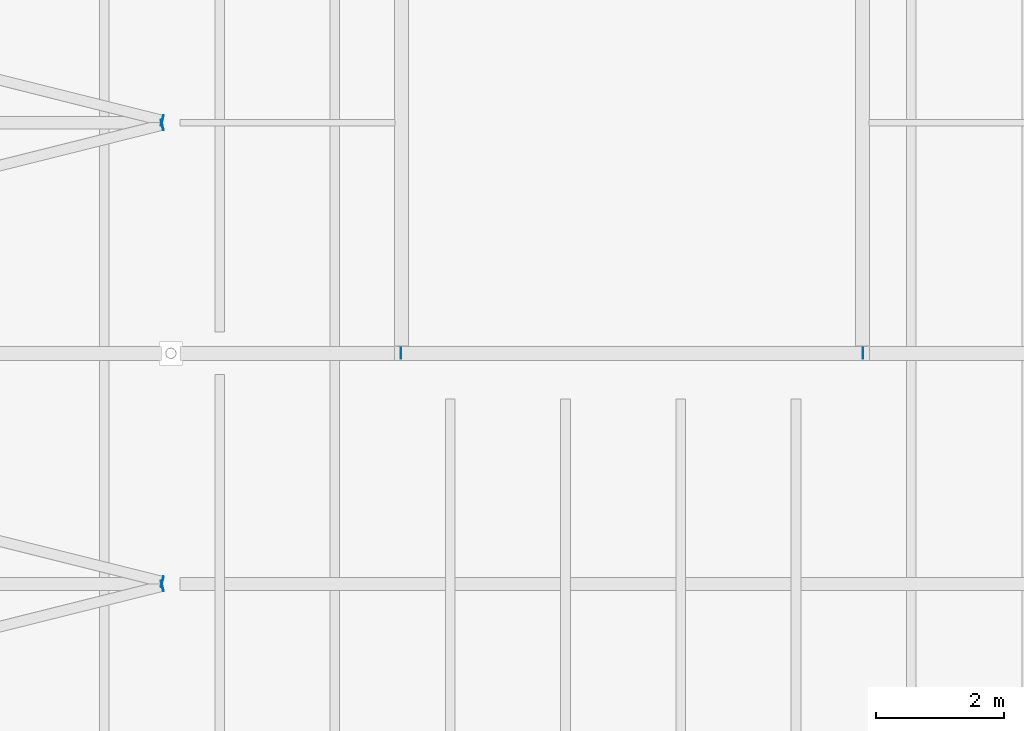
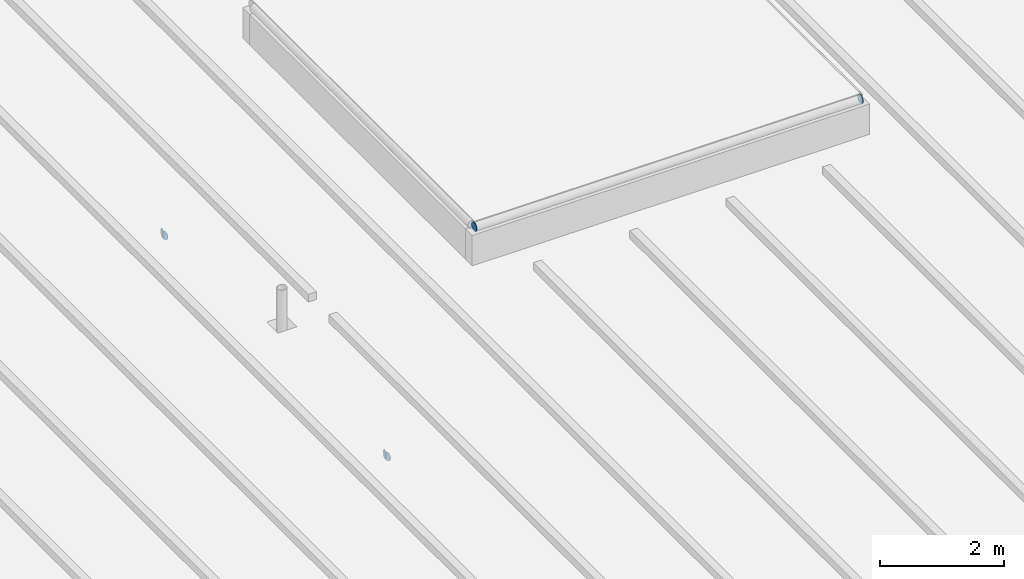
# One storey, part 103 of 120: 6 discrete accessories.
"""IFC4 building model written with IfcOpenShell, lengths in metres."""

import ifcopenshell
import ifcopenshell.guid

model = None  # the IFC model being written
_history = None  # IfcOwnerHistory: only IFC2X3 demands one
_inside = {}  # id of a spatial element -> (the spatial element, [elements in it])
_under = {}  # id of a project, library or spatial element -> (it, [spatial elements below it])
_declared = {}  # id of a project -> (the project, [libraries it declares])
_typed = {}  # id of a type object -> (the type object, [elements of that type])
_made_of = {}  # id of a material, layer set ... -> (it, [elements and type objects made of it])


def new_model(schema):
    """Start an empty IFC model of exactly this schema.

    Asked for "IFC4X3", IfcOpenShell would pick the latest addendum, in which some entities
    have other attributes; the version numbers below select the first issue.
    IFC2X3 requires an IfcOwnerHistory on every rooted entity: one is made here for all.
    """
    global model, _history
    if schema == "IFC4X3":
        model = ifcopenshell.file(schema_version=(4, 3, 0, 0))
    else:
        model = ifcopenshell.file(schema=schema)
    _inside.clear()
    _under.clear()
    _declared.clear()
    _typed.clear()
    _made_of.clear()
    _history = None
    if model.schema == "IFC2X3":
        org = make("IfcOrganization", Name="unknown")
        user = make(
            "IfcPersonAndOrganization",
            ThePerson=make("IfcPerson", FamilyName="unknown"),
            TheOrganization=org,
        )
        app = make(
            "IfcApplication",
            ApplicationDeveloper=org,
            Version="unknown",
            ApplicationFullName="unknown",
            ApplicationIdentifier="unknown",
        )
        _history = make(
            "IfcOwnerHistory",
            OwningUser=user,
            OwningApplication=app,
            ChangeAction="ADDED",
            CreationDate=0,
        )
    return model


def make(cls, **values):
    """One entity of the class cls with the attributes given. An attribute that is None is left unset."""
    return model.create_entity(
        cls, **{name: value for name, value in values.items() if value is not None}
    )


def rooted(cls, **values):
    """An entity with a GlobalId (a new one), such as an element, a storey or a relation."""
    return make(cls, GlobalId=ifcopenshell.guid.new(), OwnerHistory=_history, **values)


def si_unit(unit_type, name, prefix=None):
    """IfcSIUnit, for example si_unit("LENGTHUNIT", "METRE", prefix="MILLI")."""
    return make("IfcSIUnit", UnitType=unit_type, Prefix=prefix, Name=name)


def assignment(units):
    """IfcUnitAssignment: the units of a project."""
    return None if units is None else make("IfcUnitAssignment", Units=units)


def point(xyz):
    """IfcCartesianPoint."""
    return None if xyz is None else make("IfcCartesianPoint", Coordinates=xyz)


def direction(xyz):
    """IfcDirection."""
    return None if xyz is None else make("IfcDirection", DirectionRatios=xyz)


def frame(location, z_axis=None, x_axis=None):
    """IfcAxis2Placement3D, a coordinate frame: its origin and axes. An axis left out is left unset."""
    return make(
        "IfcAxis2Placement3D",
        Location=point(location),
        Axis=direction(z_axis),
        RefDirection=direction(x_axis),
    )


def frame_2d(location, x_axis=None):
    """IfcAxis2Placement2D, a coordinate frame in the plane: its origin and x axis."""
    return make(
        "IfcAxis2Placement2D", Location=point(location), RefDirection=direction(x_axis)
    )


def origin():
    """The frame at (0, 0, 0) with its axes left unset."""
    return frame((0.0, 0.0, 0.0))


def origin_2d():
    """The frame at (0, 0) in the plane with its x axis left unset."""
    return frame_2d((0.0, 0.0))


def place(relative_to, where):
    """IfcLocalPlacement: puts the frame where relative to a parent placement (None: the world)."""
    return make(
        "IfcLocalPlacement", PlacementRelTo=relative_to, RelativePlacement=where
    )


def context(
    kind, dimensions, precision=None, world=None, true_north=None, identifier=None
):
    """IfcGeometricRepresentationContext, for example the 3D "Model" context."""
    return make(
        "IfcGeometricRepresentationContext",
        ContextIdentifier=identifier,
        ContextType=kind,
        CoordinateSpaceDimension=dimensions,
        Precision=precision,
        WorldCoordinateSystem=world,
        TrueNorth=true_north,
    )


def subcontext(parent, identifier, kind, view, scale=None):
    """IfcGeometricRepresentationSubContext, for example "Body" below "Model"."""
    return make(
        "IfcGeometricRepresentationSubContext",
        ContextIdentifier=identifier,
        ContextType=kind,
        ParentContext=parent,
        TargetScale=scale,
        TargetView=view,
    )


def project(units=None, contexts=None):
    """IfcProject with its units and contexts."""
    return rooted(
        "IfcProject",
        Name="project",
        RepresentationContexts=contexts,
        UnitsInContext=assignment(units),
    )


def spatial(cls, under=None, at=None, **own):
    """A site, building, storey or space (cls), placed at a placement, below another one or the project."""
    s = rooted(cls, ObjectPlacement=at, **own)
    if under is not None:
        _under.setdefault(under.id(), (under, []))[1].append(s)
    return s


def profile(cls, at=None, kind="AREA", **sizes):
    """A parametric profile (cls). Its sizes go by their IFC names, for example OverallWidth=200.0."""
    return make(cls, ProfileType=kind, Position=at, **sizes)


def circle(**sizes):
    """IfcCircleProfileDef."""
    return profile("IfcCircleProfileDef", **sizes)


def extrude(swept, where, along, depth):
    """IfcExtrudedAreaSolid: the profile swept, set in the frame where, extruded along a direction by depth."""
    return make(
        "IfcExtrudedAreaSolid",
        SweptArea=swept,
        Position=where,
        ExtrudedDirection=direction(along),
        Depth=depth,
    )


def shape(context_of_items, identifier, shape_type, items):
    """IfcShapeRepresentation: the items that make up one representation, for example the "Body"."""
    return make(
        "IfcShapeRepresentation",
        ContextOfItems=context_of_items,
        RepresentationIdentifier=identifier,
        RepresentationType=shape_type,
        Items=items,
    )


def material(Name=None, Category=None):
    """IfcMaterial."""
    return make("IfcMaterial", Name=Name, Category=Category)


def layer(
    of_material, thickness, ventilated=None, Name=None, Category=None, Priority=None
):
    """IfcMaterialLayer: one layer of a wall or slab, of a material (None: an air gap)."""
    return make(
        "IfcMaterialLayer",
        Material=of_material,
        LayerThickness=thickness,
        IsVentilated=ventilated,
        Name=Name,
        Category=Category,
        Priority=Priority,
    )


def layer_set(layers, Name=None):
    """IfcMaterialLayerSet."""
    return make("IfcMaterialLayerSet", MaterialLayers=layers, LayerSetName=Name)


def made_of(thing, what):
    """Note that an element or type object is made of a material, layer set ...; save() writes the relation."""
    if what is not None:
        _made_of.setdefault(what.id(), (what, []))[1].append(thing)
    return thing


def type_object(cls, material=None, **own):
    """A type object (cls), such as IfcWallType, which elements share."""
    return made_of(rooted(cls, **own), material)


def element(
    cls,
    number,
    at=None,
    inside=None,
    cuts=None,
    type_object=None,
    material=None,
    context=None,
    identifier="Body",
    shape_type=None,
    held_by="IfcProductDefinitionShape",
    body=None,
    shapes=None,
    **own,
):
    """One element of the class cls, such as IfcWall. Its Tag is "e" and its number.

    at: its placement. inside: the storey or other place that contains it. cuts: it is an
    opening in that element (IfcRelVoidsElement). A single representation is given by context,
    identifier, shape_type and body (its items); several are given by shapes. held_by: the class
    of the entity that holds the representations. save() writes the other relations.
    """
    e = rooted(cls, Tag="e%d" % number, ObjectPlacement=at, **own)
    if body is not None:
        shapes = [shape(context, identifier, shape_type, body)]
    if shapes is not None:
        e.Representation = make(held_by, Representations=shapes)
    if inside is not None:
        _inside.setdefault(inside.id(), (inside, []))[1].append(e)
    if cuts is not None:
        rooted(
            "IfcRelVoidsElement", RelatingBuildingElement=cuts, RelatedOpeningElement=e
        )
    if type_object is not None:
        _typed.setdefault(type_object.id(), (type_object, []))[1].append(e)
    return made_of(e, material)


def aggregate(whole, parts):
    """IfcRelAggregates: a whole, such as a stair, and the parts it consists of."""
    return rooted("IfcRelAggregates", RelatingObject=whole, RelatedObjects=parts)


def save(model, path):
    """Write the relations noted so far, then the file.

    IfcRelAggregates (storeys below a building ...), IfcRelContainedInSpatialStructure (elements
    in a storey), IfcRelDefinesByType, IfcRelAssociatesMaterial and IfcRelDeclares: one each for
    every whole, place, type object, material and project.
    """
    for whole, parts in _under.values():
        aggregate(whole, parts)
    for where, things in _inside.values():
        rooted(
            "IfcRelContainedInSpatialStructure",
            RelatedElements=things,
            RelatingStructure=where,
        )
    for kind, things in _typed.values():
        rooted("IfcRelDefinesByType", RelatedObjects=things, RelatingType=kind)
    for what, things in _made_of.values():
        rooted("IfcRelAssociatesMaterial", RelatedObjects=things, RelatingMaterial=what)
    for by, libraries in _declared.values():
        rooted("IfcRelDeclares", RelatingContext=by, RelatedDefinitions=libraries)
    model.write(path)


model = new_model("IFC4")

# Units and contexts
model_context = context("Model", 3, precision=1e-05, world=origin(), true_north=direction((0.0, 1.0)))
body_context = subcontext(model_context, "Body", "Model", "MODEL_VIEW")
ifc_project = project(units=[si_unit("LENGTHUNIT", "METRE"), si_unit("AREAUNIT", "SQUARE_METRE"), si_unit("VOLUMEUNIT", "CUBIC_METRE"), si_unit("PLANEANGLEUNIT", "RADIAN"), si_unit("MASSUNIT", "GRAM", prefix="KILO")], contexts=[model_context])

# Site, building, storey
site_placement = place(None, origin())
site = spatial("IfcSite", under=ifc_project, at=site_placement, CompositionType="ELEMENT")
building_placement = place(site_placement, origin())
building = spatial("IfcBuilding", under=site, at=building_placement, Name="Kupolbacken Congress Centre", CompositionType="ELEMENT")
storey_placement = place(building_placement, frame((0.0, 0.0, 21.60009765625)))
storey = spatial("IfcBuildingStorey", under=building, at=storey_placement, Name="L06", CompositionType="ELEMENT", Elevation=21.60009765625)

# Discrete accessories
ifc_material = material(Name="Steel S355", Category="steel")
ifc_layer = layer(ifc_material, 0.011962890625)
ifc_layer_set = layer_set([ifc_layer], Name="Steel S355")
discrete_accessory_type = type_object("IfcDiscreteAccessoryType", Name="EC2 tube end cap plate 168 dia x 12", PredefinedType="BRACKET", material=ifc_layer_set)
for number, where, z_axis, x_axis, name in (
    (1, (165.459228515625, 93.564697265625, -0.084228515625), (0.970142500145, 0.242535625036, 0.0), (-0.242535625036, 0.970142500145, 0.0), "End cap plate HR/RB/05-13 B"),
    (2, (165.459228515625, 93.63525390625, -0.084228515625), (0.970142500145, -0.242535625036, 0.0), (0.242535625036, 0.970142500145, 0.0), "End cap plate HR/RB/05-14 A"),
    (3, (165.459228515625, 100.764892578125, -0.084228515625), (0.974732318528, 0.223376156329, 0.0), (-0.223376156329, 0.974732318528, 0.0), "End cap plate HR/RB/05-15 B"),
    (4, (165.459228515625, 100.835205078125, -0.084228515625), (0.970142500145, -0.242535625036, 0.0), (0.242535625036, 0.970142500145, 0.0), "End cap plate HR/RB/05-16 A"),
    (5, (169.199951171875, 97.199951171875, 0.944091796875), (-1.0, 0.0, 0.0), (0.0, -1.0, 0.0), "End cap plate RD/RL9/FS A"),
):
    element("IfcDiscreteAccessory", number, at=place(storey_placement, frame(where, z_axis=z_axis, x_axis=x_axis)), inside=storey, type_object=discrete_accessory_type, Name=name, PredefinedType="BRACKET", context=body_context, shape_type="SweptSolid", body=[
        extrude(circle(Radius=0.084228515625, at=origin_2d()), origin(), (0.0, 0.0, 1.0), 0.011962890625),
    ])
discrete_accessory_placement = place(storey_placement, frame((176.39990234375, 97.199951171875, 0.944091796875), z_axis=(1.0, 0.0, 0.0), x_axis=(0.0, 1.0, 0.0)))
element("IfcDiscreteAccessory", 6, at=discrete_accessory_placement, inside=storey, type_object=discrete_accessory_type, Name="End cap plate RD/RL9/FS B", PredefinedType="BRACKET", context=body_context, shape_type="SweptSolid", body=[
    extrude(circle(Radius=0.084228515625, at=origin_2d()), origin(), (0.0, 0.0, 1.0), 0.01220703125),
])

save(model, "model.ifc")
